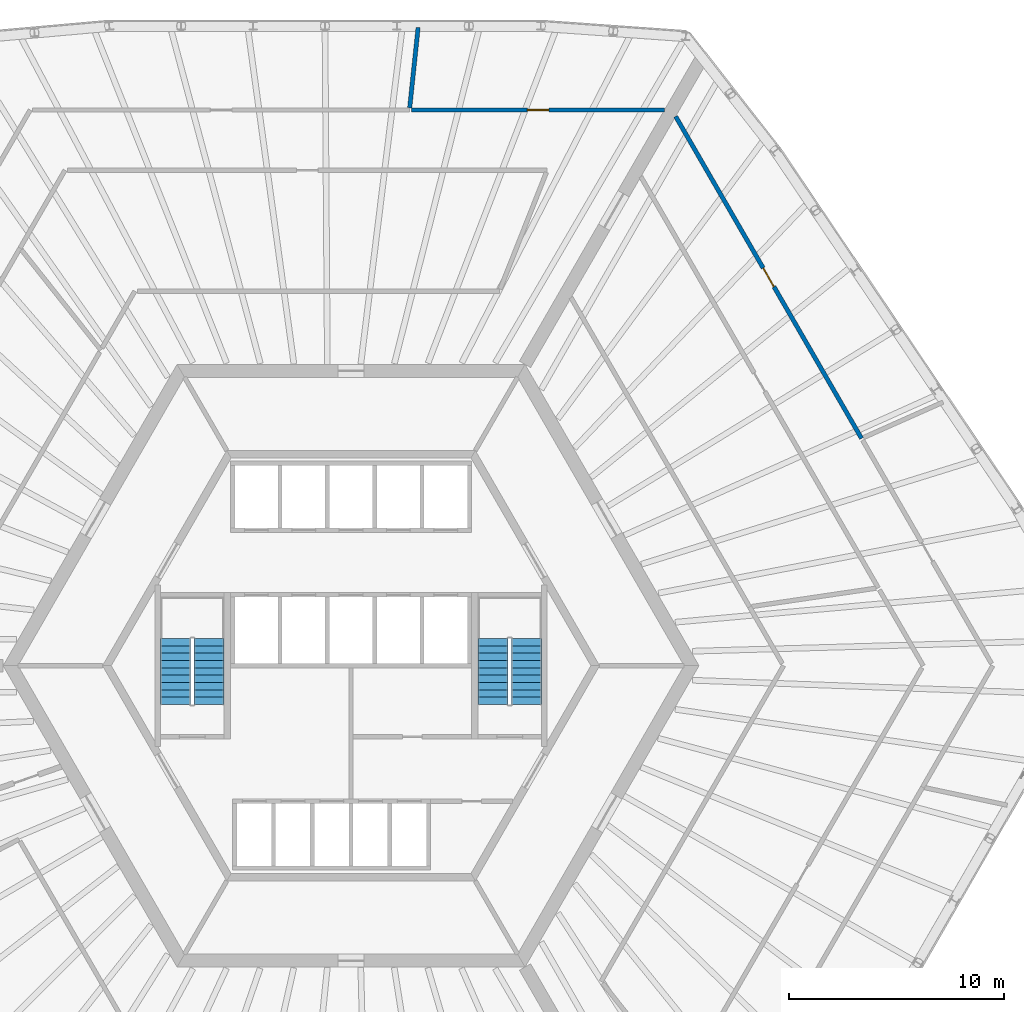
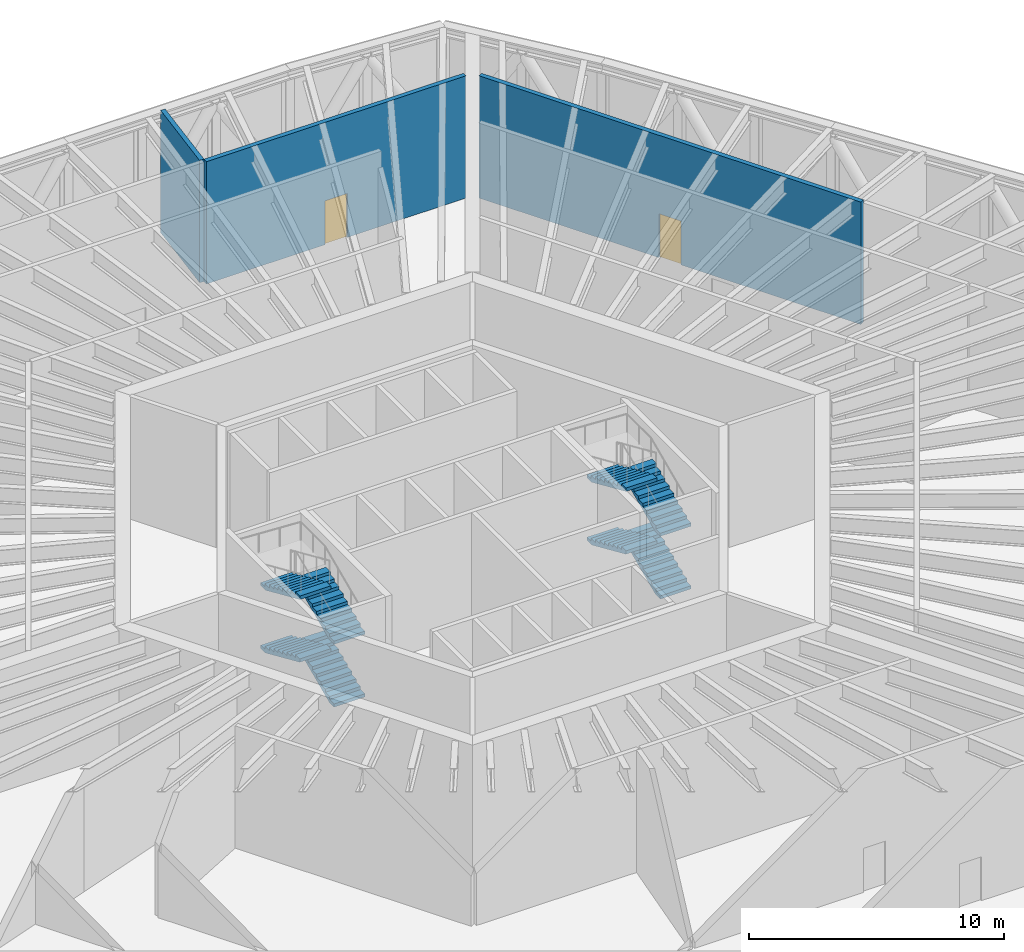
# One storey, part 9 of 11: 8 stair flights, 3 walls, 2 doors, 2 openings, 2 elements without a shape of their own.
"""IFC4 building model written with IfcOpenShell, lengths in metres."""

from ifc_helpers import new_model, si_unit, direction, frame, frame_2d, origin, place, context, subcontext, project, spatial, polyline, rectangle, outline, extrude, material, layer, layer_set, type_object, element, fill, aggregate, save


model = new_model("IFC4")

# Units and contexts
model_context = context("Model", 3, precision=1e-05, world=origin(), true_north=direction((0.0, 1.0)))
body_context = subcontext(model_context, "Body", "Model", "MODEL_VIEW")
ifc_project = project(units=[si_unit("LENGTHUNIT", "METRE"), si_unit("AREAUNIT", "SQUARE_METRE"), si_unit("VOLUMEUNIT", "CUBIC_METRE"), si_unit("PLANEANGLEUNIT", "RADIAN"), si_unit("MASSUNIT", "GRAM", prefix="KILO")], contexts=[model_context])

# Site, building, storey
site_placement = place(None, origin())
site = spatial("IfcSite", under=ifc_project, at=site_placement, CompositionType="ELEMENT")
building_placement = place(site_placement, origin())
building = spatial("IfcBuilding", under=site, at=building_placement, Name="Tarnside Tower", CompositionType="ELEMENT")
storey_placement = place(building_placement, frame((0.0, 0.0, 31.5)))
storey = spatial("IfcBuildingStorey", under=building, at=storey_placement, Name="L05", CompositionType="ELEMENT", Elevation=31.5)

# Wall
ifc_material_1 = material(Name="Concrete C32/40", Category="concrete")
ifc_layer = layer(ifc_material_1, 0.199951171875)
ifc_layer_set = layer_set([ifc_layer], Name="Wall 200 reinforced Concrete C32/40")
wall_type = type_object("IfcWallType", Name="Wall 200 reinforced Concrete C32/40", PredefinedType="PARTITIONING", material=ifc_layer_set)
wall_1_placement = place(storey_placement, frame((3.115966796875, 29.64892578125, 0.0), z_axis=(0.0, 0.0, 1.0), x_axis=(-0.104376339502, -0.994537872457, 0.0)))
element("IfcWall", 1, at=wall_1_placement, inside=storey, type_object=wall_type, Name="Partition 027", PredefinedType="PARTITIONING", context=body_context, shape_type="SweptSolid", body=[
    extrude(rectangle(XDim=3.74951171875, YDim=0.199951171875, at=frame_2d((1.874755859375, 0.0))), origin(), (0.0, 0.0, 1.0), 5.85009765625),
])

# Wall, opening, door
wall_2_placement = place(storey_placement, frame((2.814453125, 25.820068359375, 0.0), z_axis=(0.0, 0.0, 1.0), x_axis=(1.0, 0.0, 0.0)))
wall_2 = element("IfcWall", 2, at=wall_2_placement, inside=storey, type_object=wall_type, Name="Partition 033", PredefinedType="PARTITIONING", context=body_context, shape_type="SweptSolid", body=[
    extrude(rectangle(XDim=11.74658203125, YDim=0.199951171875, at=frame_2d((5.873291015625, 0.0))), origin(), (0.0, 0.0, 1.0), 5.85009765625),
])
opening_1_placement = place(wall_2_placement, frame((5.373291015625, 0.0, 0.0)))
opening_1 = element("IfcOpeningElement", 3, at=opening_1_placement, cuts=wall_2, Name="Opening D1000F60", PredefinedType="OPENING", context=body_context, shape_type="SweptSolid", body=[
    extrude(rectangle(XDim=1.0, YDim=2.10009765625, at=frame_2d((0.5, 1.050048828125))), frame((0.0, 0.10986328125, 0.0), z_axis=(0.0, -1.0, 0.0), x_axis=(1.0, 0.0, 0.0)), (0.0, 0.0, 1.0), 0.219970703125),
])
ifc_material_2 = material(Name="Timber door leaf", Category="wood")
door_type = type_object("IfcDoorType", Name="Door 1000 x 2100 single leaf FD60 fire door", OperationType="NOTDEFINED", PredefinedType="DOOR", material=ifc_material_2)
door_1_placement = place(opening_1_placement, origin())
door_1 = element("IfcDoor", 4, at=door_1_placement, inside=storey, type_object=door_type, Name="Door L05-12", OperationType="SINGLE_SWING_LEFT", OverallHeight=2.10009765625, OverallWidth=1.0, PredefinedType="DOOR", context=body_context, shape_type="SweptSolid", body=[
    extrude(rectangle(XDim=1.0, YDim=2.10009765625, at=frame_2d((0.5, 1.050048828125))), frame((0.0, 0.02490234375, 0.0), z_axis=(0.0, -1.0, 0.0), x_axis=(1.0, 0.0, 0.0)), (0.0, 0.0, 1.0), 0.050048828125),
])
fill(opening_1, door_1)

wall_3_placement = place(storey_placement, frame((15.080078125, 25.52001953125, 0.0), z_axis=(0.0, 0.0, 1.0), x_axis=(0.500034818431, -0.866005300421, 0.0)))
wall_3 = element("IfcWall", 5, at=wall_3_placement, inside=storey, type_object=wall_type, Name="Partition 038", PredefinedType="PARTITIONING", context=body_context, shape_type="SweptSolid", body=[
    extrude(rectangle(XDim=17.274658203125, YDim=0.199951171875, at=frame_2d((8.63720703125, 0.0))), origin(), (0.0, 0.0, 1.0), 5.85009765625),
])
opening_2_placement = place(wall_3_placement, frame((8.137451171875, 0.0, 0.0)))
opening_2 = element("IfcOpeningElement", 6, at=opening_2_placement, cuts=wall_3, Name="Opening D1000F60", PredefinedType="OPENING", context=body_context, shape_type="SweptSolid", body=[
    extrude(rectangle(XDim=1.0, YDim=2.10009765625, at=frame_2d((0.5, 1.050048828125))), frame((0.0, 0.10986328125, 0.0), z_axis=(0.0, -1.0, 0.0), x_axis=(1.0, 0.0, 0.0)), (0.0, 0.0, 1.0), 0.219970703125),
])
door_2_placement = place(opening_2_placement, origin())
door_2 = element("IfcDoor", 7, at=door_2_placement, inside=storey, type_object=door_type, Name="Door L05-14", OperationType="SINGLE_SWING_LEFT", OverallHeight=2.10009765625, OverallWidth=1.0, PredefinedType="DOOR", context=body_context, shape_type="SweptSolid", body=[
    extrude(rectangle(XDim=1.0, YDim=2.10009765625, at=frame_2d((0.5, 1.050048828125))), frame((0.0, 0.02490234375, 0.0), z_axis=(0.0, -1.0, 0.0), x_axis=(1.0, 0.0, 0.0)), (0.0, 0.0, 1.0), 0.050048828125),
])
fill(opening_2, door_2)

# Stair, stair flights
ifc_material_3 = material(Name="Concrete C40/50", Category="concrete")
stair_type = type_object("IfcStairType", Name="Exit stair 1400 clear", PredefinedType="HALF_TURN_STAIR", material=ifc_material_3)
stair_1_placement = place(storey_placement, origin())
stair_1 = element("IfcStair", 8, at=stair_1_placement, inside=storey, type_object=stair_type, Name="L05 Exit stair 1", PredefinedType="HALF_TURN_STAIR")
stair_flight_type = type_object("IfcStairFlightType", Name="Exit stair flight 1400", PredefinedType="STRAIGHT", material=ifc_material_3)
stair_flight_1_placement = place(storey_placement, frame((8.14990234375, -1.800048828125, 0.0), z_axis=(0.0, 0.0, 1.0), x_axis=(0.0, 1.0, 0.0)))
stair_flight_1 = element("IfcStairFlight", 9, at=stair_flight_1_placement, type_object=stair_flight_type, Name="ST1 flight 1", NumberOfRisers=10, NumberOfTreads=9, PredefinedType="STRAIGHT", RiserHeight=0.15, TreadLength=0.34, context=body_context, shape_type="SweptSolid", body=[
    extrude(outline(polyline([(0.0, 0.0), (0.0, 0.14990234375), (0.340087890625, 0.14990234375), (0.340087890625, 0.300048828125), (0.679931640625, 0.300048828125), (0.679931640625, 0.449951171875), (1.02001953125, 0.449951171875), (1.02001953125, 0.60009765625), (1.360107421875, 0.60009765625), (1.360107421875, 0.75), (1.699951171875, 0.75), (1.699951171875, 0.89990234375), (2.0400390625, 0.89990234375), (2.0400390625, 1.050048828125), (2.3798828125, 1.050048828125), (2.3798828125, 1.199951171875), (2.719970703125, 1.199951171875), (2.719970703125, 1.35009765625), (3.06005859375, 1.35009765625), (3.06005859375, 1.5), (3.06005859375, 1.186279296875), (0.371337890625, 0.0), (0.0, 0.0)])), frame((0.0, 0.699951171875, 0.0), z_axis=(0.0, -1.0, 0.0), x_axis=(1.0, 0.0, 0.0)), (0.0, 0.0, 1.0), 1.39990234375),
])
stair_flight_2_placement = place(storey_placement, frame((6.60009765625, 1.260009765625, 1.5), z_axis=(0.0, 0.0, 1.0), x_axis=(0.0, -1.0, 0.0)))
stair_flight_2 = element("IfcStairFlight", 10, at=stair_flight_2_placement, type_object=stair_flight_type, Name="ST1 flight 2", NumberOfRisers=10, NumberOfTreads=9, PredefinedType="STRAIGHT", RiserHeight=0.15, TreadLength=0.34, context=body_context, shape_type="SweptSolid", body=[
    extrude(outline(polyline([(0.0, 0.0), (0.0, 0.14990234375), (0.340087890625, 0.14990234375), (0.340087890625, 0.300048828125), (0.679931640625, 0.300048828125), (0.679931640625, 0.449951171875), (1.02001953125, 0.449951171875), (1.02001953125, 0.60009765625), (1.360107421875, 0.60009765625), (1.360107421875, 0.75), (1.699951171875, 0.75), (1.699951171875, 0.89990234375), (2.0400390625, 0.89990234375), (2.0400390625, 1.050048828125), (2.3798828125, 1.050048828125), (2.3798828125, 1.199951171875), (2.719970703125, 1.199951171875), (2.719970703125, 1.35009765625), (3.06005859375, 1.35009765625), (3.06005859375, 1.5), (3.06005859375, 1.186279296875), (0.371337890625, 0.0), (0.0, 0.0)])), frame((0.0, 0.699951171875, 0.0), z_axis=(0.0, -1.0, 0.0), x_axis=(1.0, 0.0, 0.0)), (0.0, 0.0, 1.0), 1.39990234375),
])
stair_flight_3_placement = place(storey_placement, frame((8.14990234375, -1.800048828125, 3.0), z_axis=(0.0, 0.0, 1.0), x_axis=(0.0, 1.0, 0.0)))
stair_flight_3 = element("IfcStairFlight", 11, at=stair_flight_3_placement, type_object=stair_flight_type, Name="ST1 flight 3", NumberOfRisers=10, NumberOfTreads=9, PredefinedType="STRAIGHT", RiserHeight=0.15, TreadLength=0.34, context=body_context, shape_type="SweptSolid", body=[
    extrude(outline(polyline([(0.0, 0.0), (0.0, 0.14990234375), (0.340087890625, 0.14990234375), (0.340087890625, 0.300048828125), (0.679931640625, 0.300048828125), (0.679931640625, 0.449951171875), (1.02001953125, 0.449951171875), (1.02001953125, 0.60009765625), (1.360107421875, 0.60009765625), (1.360107421875, 0.75), (1.699951171875, 0.75), (1.699951171875, 0.89990234375), (2.0400390625, 0.89990234375), (2.0400390625, 1.050048828125), (2.3798828125, 1.050048828125), (2.3798828125, 1.199951171875), (2.719970703125, 1.199951171875), (2.719970703125, 1.35009765625), (3.06005859375, 1.35009765625), (3.06005859375, 1.5), (3.06005859375, 1.186279296875), (0.371337890625, 0.0), (0.0, 0.0)])), frame((0.0, 0.699951171875, 0.0), z_axis=(0.0, -1.0, 0.0), x_axis=(1.0, 0.0, 0.0)), (0.0, 0.0, 1.0), 1.39990234375),
])
stair_flight_4_placement = place(storey_placement, frame((6.60009765625, 1.260009765625, 4.5), z_axis=(0.0, 0.0, 1.0), x_axis=(0.0, -1.0, 0.0)))
stair_flight_4 = element("IfcStairFlight", 12, at=stair_flight_4_placement, type_object=stair_flight_type, Name="ST1 flight 4", NumberOfRisers=10, NumberOfTreads=9, PredefinedType="STRAIGHT", RiserHeight=0.15, TreadLength=0.34, context=body_context, shape_type="SweptSolid", body=[
    extrude(outline(polyline([(0.0, 0.0), (0.0, 0.14990234375), (0.340087890625, 0.14990234375), (0.340087890625, 0.300048828125), (0.679931640625, 0.300048828125), (0.679931640625, 0.449951171875), (1.02001953125, 0.449951171875), (1.02001953125, 0.60009765625), (1.360107421875, 0.60009765625), (1.360107421875, 0.75), (1.699951171875, 0.75), (1.699951171875, 0.89990234375), (2.0400390625, 0.89990234375), (2.0400390625, 1.050048828125), (2.3798828125, 1.050048828125), (2.3798828125, 1.199951171875), (2.719970703125, 1.199951171875), (2.719970703125, 1.35009765625), (3.06005859375, 1.35009765625), (3.06005859375, 1.5), (3.06005859375, 1.186279296875), (0.371337890625, 0.0), (0.0, 0.0)])), frame((0.0, 0.699951171875, 0.0), z_axis=(0.0, -1.0, 0.0), x_axis=(1.0, 0.0, 0.0)), (0.0, 0.0, 1.0), 1.39990234375),
])
aggregate(stair_1, [stair_flight_1, stair_flight_2, stair_flight_3, stair_flight_4])

stair_2_placement = place(storey_placement, origin())
stair_2 = element("IfcStair", 13, at=stair_2_placement, inside=storey, type_object=stair_type, Name="L05 Exit stair 2", PredefinedType="HALF_TURN_STAIR")
stair_flight_5_placement = place(storey_placement, frame((-6.60009765625, -1.800048828125, 0.0), z_axis=(0.0, 0.0, 1.0), x_axis=(0.0, 1.0, 0.0)))
stair_flight_5 = element("IfcStairFlight", 14, at=stair_flight_5_placement, type_object=stair_flight_type, Name="ST2 flight 1", NumberOfRisers=10, NumberOfTreads=9, PredefinedType="STRAIGHT", RiserHeight=0.15, TreadLength=0.34, context=body_context, shape_type="SweptSolid", body=[
    extrude(outline(polyline([(0.0, 0.0), (0.0, 0.14990234375), (0.340087890625, 0.14990234375), (0.340087890625, 0.300048828125), (0.679931640625, 0.300048828125), (0.679931640625, 0.449951171875), (1.02001953125, 0.449951171875), (1.02001953125, 0.60009765625), (1.360107421875, 0.60009765625), (1.360107421875, 0.75), (1.699951171875, 0.75), (1.699951171875, 0.89990234375), (2.0400390625, 0.89990234375), (2.0400390625, 1.050048828125), (2.3798828125, 1.050048828125), (2.3798828125, 1.199951171875), (2.719970703125, 1.199951171875), (2.719970703125, 1.35009765625), (3.06005859375, 1.35009765625), (3.06005859375, 1.5), (3.06005859375, 1.186279296875), (0.371337890625, 0.0), (0.0, 0.0)])), frame((0.0, 0.699951171875, 0.0), z_axis=(0.0, -1.0, 0.0), x_axis=(1.0, 0.0, 0.0)), (0.0, 0.0, 1.0), 1.39990234375),
])
stair_flight_6_placement = place(storey_placement, frame((-8.14990234375, 1.260009765625, 1.5), z_axis=(0.0, 0.0, 1.0), x_axis=(0.0, -1.0, 0.0)))
stair_flight_6 = element("IfcStairFlight", 15, at=stair_flight_6_placement, type_object=stair_flight_type, Name="ST2 flight 2", NumberOfRisers=10, NumberOfTreads=9, PredefinedType="STRAIGHT", RiserHeight=0.15, TreadLength=0.34, context=body_context, shape_type="SweptSolid", body=[
    extrude(outline(polyline([(0.0, 0.0), (0.0, 0.14990234375), (0.340087890625, 0.14990234375), (0.340087890625, 0.300048828125), (0.679931640625, 0.300048828125), (0.679931640625, 0.449951171875), (1.02001953125, 0.449951171875), (1.02001953125, 0.60009765625), (1.360107421875, 0.60009765625), (1.360107421875, 0.75), (1.699951171875, 0.75), (1.699951171875, 0.89990234375), (2.0400390625, 0.89990234375), (2.0400390625, 1.050048828125), (2.3798828125, 1.050048828125), (2.3798828125, 1.199951171875), (2.719970703125, 1.199951171875), (2.719970703125, 1.35009765625), (3.06005859375, 1.35009765625), (3.06005859375, 1.5), (3.06005859375, 1.186279296875), (0.371337890625, 0.0), (0.0, 0.0)])), frame((0.0, 0.699951171875, 0.0), z_axis=(0.0, -1.0, 0.0), x_axis=(1.0, 0.0, 0.0)), (0.0, 0.0, 1.0), 1.39990234375),
])
stair_flight_7_placement = place(storey_placement, frame((-6.60009765625, -1.800048828125, 3.0), z_axis=(0.0, 0.0, 1.0), x_axis=(0.0, 1.0, 0.0)))
stair_flight_7 = element("IfcStairFlight", 16, at=stair_flight_7_placement, type_object=stair_flight_type, Name="ST2 flight 3", NumberOfRisers=10, NumberOfTreads=9, PredefinedType="STRAIGHT", RiserHeight=0.15, TreadLength=0.34, context=body_context, shape_type="SweptSolid", body=[
    extrude(outline(polyline([(0.0, 0.0), (0.0, 0.14990234375), (0.340087890625, 0.14990234375), (0.340087890625, 0.300048828125), (0.679931640625, 0.300048828125), (0.679931640625, 0.449951171875), (1.02001953125, 0.449951171875), (1.02001953125, 0.60009765625), (1.360107421875, 0.60009765625), (1.360107421875, 0.75), (1.699951171875, 0.75), (1.699951171875, 0.89990234375), (2.0400390625, 0.89990234375), (2.0400390625, 1.050048828125), (2.3798828125, 1.050048828125), (2.3798828125, 1.199951171875), (2.719970703125, 1.199951171875), (2.719970703125, 1.35009765625), (3.06005859375, 1.35009765625), (3.06005859375, 1.5), (3.06005859375, 1.186279296875), (0.371337890625, 0.0), (0.0, 0.0)])), frame((0.0, 0.699951171875, 0.0), z_axis=(0.0, -1.0, 0.0), x_axis=(1.0, 0.0, 0.0)), (0.0, 0.0, 1.0), 1.39990234375),
])
stair_flight_8_placement = place(storey_placement, frame((-8.14990234375, 1.260009765625, 4.5), z_axis=(0.0, 0.0, 1.0), x_axis=(0.0, -1.0, 0.0)))
stair_flight_8 = element("IfcStairFlight", 17, at=stair_flight_8_placement, type_object=stair_flight_type, Name="ST2 flight 4", NumberOfRisers=10, NumberOfTreads=9, PredefinedType="STRAIGHT", RiserHeight=0.15, TreadLength=0.34, context=body_context, shape_type="SweptSolid", body=[
    extrude(outline(polyline([(0.0, 0.0), (0.0, 0.14990234375), (0.340087890625, 0.14990234375), (0.340087890625, 0.300048828125), (0.679931640625, 0.300048828125), (0.679931640625, 0.449951171875), (1.02001953125, 0.449951171875), (1.02001953125, 0.60009765625), (1.360107421875, 0.60009765625), (1.360107421875, 0.75), (1.699951171875, 0.75), (1.699951171875, 0.89990234375), (2.0400390625, 0.89990234375), (2.0400390625, 1.050048828125), (2.3798828125, 1.050048828125), (2.3798828125, 1.199951171875), (2.719970703125, 1.199951171875), (2.719970703125, 1.35009765625), (3.06005859375, 1.35009765625), (3.06005859375, 1.5), (3.06005859375, 1.186279296875), (0.371337890625, 0.0), (0.0, 0.0)])), frame((0.0, 0.699951171875, 0.0), z_axis=(0.0, -1.0, 0.0), x_axis=(1.0, 0.0, 0.0)), (0.0, 0.0, 1.0), 1.39990234375),
])
aggregate(stair_2, [stair_flight_5, stair_flight_6, stair_flight_7, stair_flight_8])

save(model, "model.ifc")
